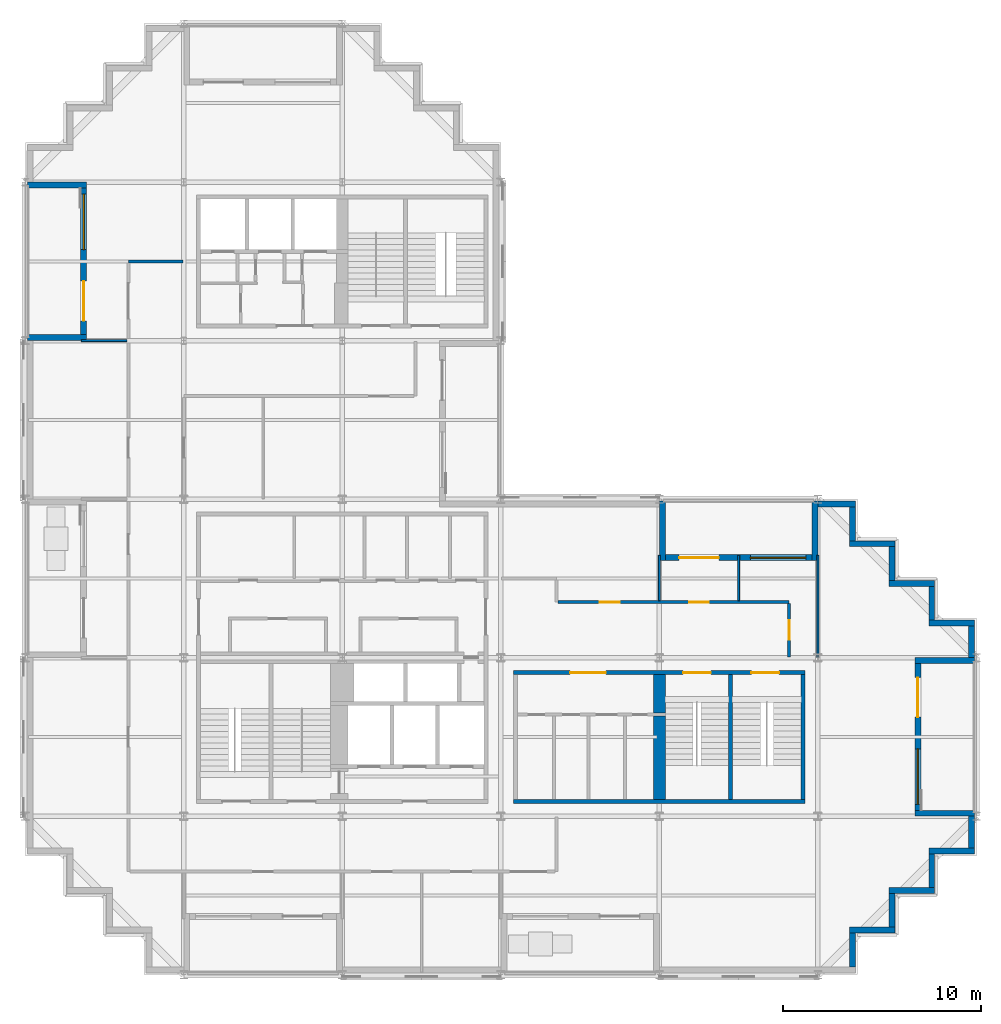
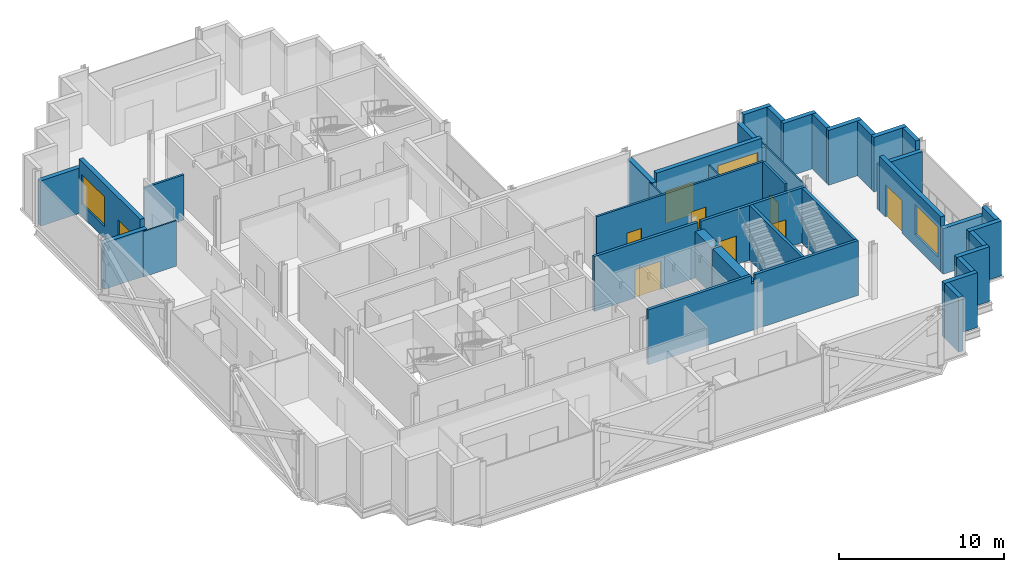
# One storey, part 7 of 11: 37 walls, 9 doors, 3 windows, 12 openings.
"""IFC4 building model written with IfcOpenShell, lengths in metres."""

from ifc_helpers import new_model, si_unit, direction, frame, frame_2d, origin, place, context, subcontext, project, spatial, polyline, rectangle, outline, extrude, material, layer, layer_set, type_object, element, fill, save


model = new_model("IFC4")

# Units and contexts
model_context = context("Model", 3, precision=1e-05, world=origin(), true_north=direction((0.0, 1.0)))
body_context = subcontext(model_context, "Body", "Model", "MODEL_VIEW")
ifc_project = project(units=[si_unit("LENGTHUNIT", "METRE"), si_unit("AREAUNIT", "SQUARE_METRE"), si_unit("VOLUMEUNIT", "CUBIC_METRE"), si_unit("PLANEANGLEUNIT", "RADIAN"), si_unit("MASSUNIT", "GRAM", prefix="KILO")], contexts=[model_context])

# Site, building, storey
site_placement = place(None, origin())
site = spatial("IfcSite", under=ifc_project, at=site_placement, CompositionType="ELEMENT")
building_placement = place(site_placement, origin())
building = spatial("IfcBuilding", under=site, at=building_placement, Name="Immortelle Media Tower", CompositionType="ELEMENT")
storey_placement = place(building_placement, frame((0.0, 0.0, 157.800048828125)))
storey = spatial("IfcBuildingStorey", under=building, at=storey_placement, Name="L32", CompositionType="ELEMENT", Elevation=157.800048828125)

# Wall, opening, door
ifc_material_1 = material(Name="Fire-rated gypsum board", Category="gypsum")
ifc_layer_1 = layer(ifc_material_1, 0.012451171875)
ifc_material_2 = material(Name="Steel ASTM A653 SS Gr 50 stud frame with mineral wool", Category="steel")
ifc_layer_2 = layer(ifc_material_2, 0.125)
ifc_layer_3 = layer(ifc_material_1, 0.012451171875)
ifc_layer_set_1 = layer_set([ifc_layer_1, ifc_layer_2, ifc_layer_3], Name="Steel ASTM A653 SS Gr 50 stud frame with mineral wool")
wall_type_1 = type_object("IfcWallType", Name="Corridor wall 150", PredefinedType="PARTITIONING", material=ifc_layer_set_1)
wall_1_placement = place(storey_placement, frame((38.550048828125, 16.030029296875, 0.0), z_axis=(0.0, 0.0, 1.0), x_axis=(0.0, 1.0, 0.0)))
wall_1 = element("IfcWall", 1, at=wall_1_placement, inside=storey, type_object=wall_type_1, Name="Partition L32-009", PredefinedType="PARTITIONING", context=body_context, shape_type="SweptSolid", body=[
    extrude(rectangle(XDim=2.695068359375, YDim=0.14990234375, at=frame_2d((1.34765625, 0.0))), origin(), (0.0, 0.0, 1.0), 4.050048828125),
])
opening_1_placement = place(wall_1_placement, frame((1.8701171875, 0.0, 0.0), z_axis=(0.0, 0.0, 1.0), x_axis=(-1.0, 0.0, 0.0)))
opening_1 = element("IfcOpeningElement", 2, at=opening_1_placement, cuts=wall_1, Name="Opening C4-F007", PredefinedType="OPENING", context=body_context, shape_type="SweptSolid", body=[
    extrude(rectangle(XDim=1.0, YDim=2.10009765625, at=frame_2d((0.5, 1.050048828125))), frame((0.0, 0.0849609375, 0.0), z_axis=(0.0, -1.0, 0.0), x_axis=(1.0, 0.0, 0.0)), (0.0, 0.0, 1.0), 0.169921875),
])
ifc_material_3 = material(Name="Timber veneered door leaf, galvanised steel frame ASTM A653", Category="steel")
door_type_1 = type_object("IfcDoorType", Name="Room door 1000 x 2100", OperationType="NOTDEFINED", PredefinedType="DOOR", material=ifc_material_3)
door_1_placement = place(opening_1_placement, origin())
door_1 = element("IfcDoor", 3, at=door_1_placement, inside=storey, type_object=door_type_1, Name="Door C4-F007", OperationType="SINGLE_SWING_RIGHT", OverallHeight=2.10009765625, OverallWidth=1.0, PredefinedType="DOOR", context=body_context, shape_type="SweptSolid", body=[
    extrude(rectangle(XDim=1.0, YDim=2.10009765625, at=frame_2d((0.5, 1.050048828125))), frame((0.0, 0.02490234375, 0.0), z_axis=(0.0, -1.0, 0.0), x_axis=(1.0, 0.0, 0.0)), (0.0, 0.0, 1.0), 0.050048828125),
])
fill(opening_1, door_1)

# Wall, openings, doors
wall_2_placement = place(storey_placement, frame((26.875, 18.800048828125, 0.0), z_axis=(0.0, 0.0, 1.0), x_axis=(1.0, 0.0, 0.0)))
wall_2 = element("IfcWall", 4, at=wall_2_placement, inside=storey, type_object=wall_type_1, Name="Partition L32-011", PredefinedType="PARTITIONING", context=body_context, shape_type="SweptSolid", body=[
    extrude(rectangle(XDim=11.675048828125, YDim=0.14990234375, at=frame_2d((5.83740234375, 0.0))), origin(), (0.0, 0.0, 1.0), 4.050048828125),
])
opening_2_placement = place(wall_2_placement, frame((6.625, 0.0, 0.0)))
opening_2 = element("IfcOpeningElement", 5, at=opening_2_placement, cuts=wall_2, Name="Opening C4-F006", PredefinedType="OPENING", context=body_context, shape_type="SweptSolid", body=[
    extrude(rectangle(XDim=1.0, YDim=2.10009765625, at=frame_2d((0.5, 1.050048828125))), frame((0.0, 0.0849609375, 0.0), z_axis=(0.0, -1.0, 0.0), x_axis=(1.0, 0.0, 0.0)), (0.0, 0.0, 1.0), 0.169921875),
])
opening_3_placement = place(wall_2_placement, frame((2.125, 0.0, 0.0)))
opening_3 = element("IfcOpeningElement", 6, at=opening_3_placement, cuts=wall_2, Name="Opening C4-F009", PredefinedType="OPENING", context=body_context, shape_type="SweptSolid", body=[
    extrude(rectangle(XDim=1.0, YDim=2.10009765625, at=frame_2d((0.5, 1.050048828125))), frame((0.0, 0.0849609375, 0.0), z_axis=(0.0, -1.0, 0.0), x_axis=(1.0, 0.0, 0.0)), (0.0, 0.0, 1.0), 0.169921875),
])
door_2_placement = place(opening_2_placement, origin())
door_2 = element("IfcDoor", 7, at=door_2_placement, inside=storey, type_object=door_type_1, Name="Door C4-F006", OperationType="SINGLE_SWING_RIGHT", OverallHeight=2.10009765625, OverallWidth=1.0, PredefinedType="DOOR", context=body_context, shape_type="SweptSolid", body=[
    extrude(rectangle(XDim=1.0, YDim=2.10009765625, at=frame_2d((0.5, 1.050048828125))), frame((0.0, 0.02490234375, 0.0), z_axis=(0.0, -1.0, 0.0), x_axis=(1.0, 0.0, 0.0)), (0.0, 0.0, 1.0), 0.050048828125),
])
fill(opening_2, door_2)
door_3_placement = place(opening_3_placement, origin())
door_3 = element("IfcDoor", 8, at=door_3_placement, inside=storey, type_object=door_type_1, Name="Door C4-F009", OperationType="SINGLE_SWING_RIGHT", OverallHeight=2.10009765625, OverallWidth=1.0, PredefinedType="DOOR", context=body_context, shape_type="SweptSolid", body=[
    extrude(rectangle(XDim=1.0, YDim=2.10009765625, at=frame_2d((0.5, 1.050048828125))), frame((0.0, 0.02490234375, 0.0), z_axis=(0.0, -1.0, 0.0), x_axis=(1.0, 0.0, 0.0)), (0.0, 0.0, 1.0), 0.050048828125),
])
fill(opening_3, door_3)

# Walls
wall_3_placement = place(storey_placement, frame((5.199951171875, 36.0, 0.0), z_axis=(0.0, 0.0, 1.0), x_axis=(1.0, 0.0, 0.0)))
element("IfcWall", 9, at=wall_3_placement, inside=storey, type_object=wall_type_1, Name="Partition L32-022", PredefinedType="PARTITIONING", context=body_context, shape_type="SweptSolid", body=[
    extrude(rectangle(XDim=2.77001953125, YDim=0.14990234375, at=frame_2d((1.385009765625, 0.0))), origin(), (0.0, 0.0, 1.0), 3.35400390625),
])
ifc_material_4 = material(Name="Pale aluminium cladding panel", Category="aluminium")
ifc_layer_4 = layer(ifc_material_4, 0.030029296875)
ifc_layer_5 = layer(ifc_material_2, 0.257568359375)
ifc_material_5 = material(Name="Moisture-resistant gypsum board", Category="gypsum")
ifc_layer_6 = layer(ifc_material_5, 0.012451171875)
ifc_layer_set_2 = layer_set([ifc_layer_4, ifc_layer_5, ifc_layer_6], Name="Steel ASTM A653 SS Gr 50 stud frame with mineral wool")
wall_type_2 = type_object("IfcWallType", Name="Facade wall 300", PredefinedType="SOLIDWALL", material=ifc_layer_set_2)
wall_4_placement = place(storey_placement, frame((41.75, 0.39990234375, 0.0), z_axis=(0.0, 0.0, 1.0), x_axis=(0.0, 1.0, 0.0)))
element("IfcWall", 10, at=wall_4_placement, inside=storey, type_object=wall_type_2, Name="Facade wall L32 E7", PredefinedType="SOLIDWALL", context=body_context, shape_type="SweptSolid", body=[
    extrude(rectangle(XDim=1.7001953125, YDim=0.300048828125, at=frame_2d((0.85009765625, 0.0))), origin(), (0.0, 0.0, 1.0), 4.050048828125),
])
wall_5_placement = place(storey_placement, frame((41.60009765625, 2.25, 0.0), z_axis=(0.0, 0.0, 1.0), x_axis=(1.0, 0.0, 0.0)))
element("IfcWall", 11, at=wall_5_placement, inside=storey, type_object=wall_type_2, Name="Facade wall L32 S8", PredefinedType="SOLIDWALL", context=body_context, shape_type="SweptSolid", body=[
    extrude(rectangle(XDim=2.2998046875, YDim=0.300048828125, at=frame_2d((1.14990234375, 0.0))), origin(), (0.0, 0.0, 1.0), 4.050048828125),
])
wall_6_placement = place(storey_placement, frame((43.75, 2.39990234375, 0.0), z_axis=(0.0, 0.0, 1.0), x_axis=(0.0, 1.0, 0.0)))
element("IfcWall", 12, at=wall_6_placement, inside=storey, type_object=wall_type_2, Name="Facade wall L32 E9", PredefinedType="SOLIDWALL", context=body_context, shape_type="SweptSolid", body=[
    extrude(rectangle(XDim=1.7001953125, YDim=0.300048828125, at=frame_2d((0.85009765625, 0.0))), origin(), (0.0, 0.0, 1.0), 4.050048828125),
])
wall_7_placement = place(storey_placement, frame((43.60009765625, 4.25, 0.0), z_axis=(0.0, 0.0, 1.0), x_axis=(1.0, 0.0, 0.0)))
element("IfcWall", 13, at=wall_7_placement, inside=storey, type_object=wall_type_2, Name="Facade wall L32 S10", PredefinedType="SOLIDWALL", context=body_context, shape_type="SweptSolid", body=[
    extrude(rectangle(XDim=2.2998046875, YDim=0.300048828125, at=frame_2d((1.14990234375, 0.0))), origin(), (0.0, 0.0, 1.0), 4.050048828125),
])
wall_8_placement = place(storey_placement, frame((45.75, 4.39990234375, 0.0), z_axis=(0.0, 0.0, 1.0), x_axis=(0.0, 1.0, 0.0)))
element("IfcWall", 14, at=wall_8_placement, inside=storey, type_object=wall_type_2, Name="Facade wall L32 E11", PredefinedType="SOLIDWALL", context=body_context, shape_type="SweptSolid", body=[
    extrude(rectangle(XDim=1.7001953125, YDim=0.300048828125, at=frame_2d((0.85009765625, 0.0))), origin(), (0.0, 0.0, 1.0), 4.050048828125),
])
wall_9_placement = place(storey_placement, frame((45.60009765625, 6.25, 0.0), z_axis=(0.0, 0.0, 1.0), x_axis=(1.0, 0.0, 0.0)))
element("IfcWall", 15, at=wall_9_placement, inside=storey, type_object=wall_type_2, Name="Facade wall L32 S12", PredefinedType="SOLIDWALL", context=body_context, shape_type="SweptSolid", body=[
    extrude(rectangle(XDim=2.2998046875, YDim=0.300048828125, at=frame_2d((1.14990234375, 0.0))), origin(), (0.0, 0.0, 1.0), 4.050048828125),
])
wall_10_placement = place(storey_placement, frame((47.75, 6.39990234375, 0.0), z_axis=(0.0, 0.0, 1.0), x_axis=(0.0, 1.0, 0.0)))
element("IfcWall", 16, at=wall_10_placement, inside=storey, type_object=wall_type_2, Name="Facade wall L32 E13", PredefinedType="SOLIDWALL", context=body_context, shape_type="SweptSolid", body=[
    extrude(rectangle(XDim=1.60009765625, YDim=0.300048828125, at=frame_2d((0.800048828125, 0.0))), origin(), (0.0, 0.0, 1.0), 4.050048828125),
])

# Wall, openings, door, window
wall_11_placement = place(storey_placement, frame((45.050048828125, 8.300048828125, 0.0), z_axis=(0.0, 0.0, 1.0), x_axis=(0.0, 1.0, 0.0)))
wall_11 = element("IfcWall", 17, at=wall_11_placement, inside=storey, type_object=wall_type_2, Name="Loggia wall L32 E13", PredefinedType="SOLIDWALL", context=body_context, shape_type="SweptSolid", body=[
    extrude(rectangle(XDim=7.39990234375, YDim=0.300048828125, at=frame_2d((3.699951171875, 0.0))), origin(), (0.0, 0.0, 1.0), 4.050048828125),
])
opening_4_placement = place(wall_11_placement, frame((0.300048828125, 0.0, 0.89990234375)))
opening_4 = element("IfcOpeningElement", 18, at=opening_4_placement, cuts=wall_11, Name="Opening W1", PredefinedType="OPENING", context=body_context, shape_type="SweptSolid", body=[
    extrude(rectangle(XDim=2.800048828125, YDim=2.199951171875, at=frame_2d((1.39990234375, 1.10009765625))), frame((0.0, 0.159912109375, 0.0), z_axis=(0.0, -1.0, 0.0), x_axis=(1.0, 0.0, 0.0)), (0.0, 0.0, 1.0), 0.320068359375),
])
opening_5_placement = place(wall_11_placement, frame((4.699951171875, 0.0, 0.0)))
opening_5 = element("IfcOpeningElement", 19, at=opening_5_placement, cuts=wall_11, Name="Opening C4-E003", PredefinedType="OPENING", context=body_context, shape_type="SweptSolid", body=[
    extrude(rectangle(XDim=2.0, YDim=2.39990234375, at=frame_2d((1.0, 1.199951171875))), frame((0.0, 0.159912109375, 0.0), z_axis=(0.0, -1.0, 0.0), x_axis=(1.0, 0.0, 0.0)), (0.0, 0.0, 1.0), 0.320068359375),
])
ifc_material_6 = material(Name="Aluminium frame, glazed leaves", Category="aluminium")
door_type_2 = type_object("IfcDoorType", Name="Loggia door 2000 x 2400", OperationType="DOUBLE_DOOR_SINGLE_SWING", PredefinedType="DOOR", material=ifc_material_6)
door_4_placement = place(opening_5_placement, origin())
door_4 = element("IfcDoor", 20, at=door_4_placement, inside=storey, type_object=door_type_2, Name="Door C4-E003", OperationType="DOUBLE_DOOR_SINGLE_SWING", OverallHeight=2.39990234375, OverallWidth=2.0, PredefinedType="DOOR", context=body_context, shape_type="SweptSolid", body=[
    extrude(rectangle(XDim=2.0, YDim=2.39990234375, at=frame_2d((1.0, 1.199951171875))), frame((0.0, 0.02490234375, 0.0), z_axis=(0.0, -1.0, 0.0), x_axis=(1.0, 0.0, 0.0)), (0.0, 0.0, 1.0), 0.050048828125),
])
fill(opening_5, door_4)
ifc_material_7 = material(Name="Aluminium frame", Category="aluminium")
window_type = type_object("IfcWindowType", Name="Window 2800 x 2200", PartitioningType="SINGLE_PANEL", PredefinedType="WINDOW", material=ifc_material_7)
window_1_placement = place(opening_4_placement, origin())
window_1 = element("IfcWindow", 21, at=window_1_placement, inside=storey, type_object=window_type, Name="Window L32 L32-R13-B0", OverallHeight=2.199951171875, OverallWidth=2.800048828125, PartitioningType="SINGLE_PANEL", PredefinedType="WINDOW", context=body_context, shape_type="SweptSolid", body=[
    extrude(rectangle(XDim=2.800048828125, YDim=2.199951171875, at=frame_2d((1.39990234375, 1.10009765625))), frame((0.0, 0.030029296875, 0.0), z_axis=(0.0, -1.0, 0.0), x_axis=(1.0, 0.0, 0.0)), (0.0, 0.0, 1.0), 0.06005859375),
])
fill(opening_4, window_1)

# Walls
for number, where, z_axis, x_axis, name in (
    (22, (47.89990234375, 8.14990234375, 0.0), (0.0, 0.0, 1.0), (-1.0, 0.0, 0.0), "Loggia cheek wall L32 E"),
    (23, (47.89990234375, 15.85009765625, 0.0), (0.0, 0.0, 1.0), (-1.0, 0.0, 0.0), "Loggia cheek wall L32 E"),
):
    element("IfcWall", number, at=place(storey_placement, frame(where, z_axis=z_axis, x_axis=x_axis)), inside=storey, type_object=wall_type_2, Name=name, PredefinedType="SOLIDWALL", context=body_context, shape_type="SweptSolid", body=[
        extrude(rectangle(XDim=3.0, YDim=0.300048828125, at=frame_2d((1.5, 0.0))), origin(), (0.0, 0.0, 1.0), 3.35302734375),
    ])
wall_12_placement = place(storey_placement, frame((47.75, 16.0, 0.0), z_axis=(0.0, 0.0, 1.0), x_axis=(0.0, 1.0, 0.0)))
element("IfcWall", 24, at=wall_12_placement, inside=storey, type_object=wall_type_2, Name="Facade wall L32 E13", PredefinedType="SOLIDWALL", context=body_context, shape_type="SweptSolid", body=[
    extrude(rectangle(XDim=1.60009765625, YDim=0.300048828125, at=frame_2d((0.800048828125, 0.0))), origin(), (0.0, 0.0, 1.0), 4.050048828125),
])
wall_13_placement = place(storey_placement, frame((47.89990234375, 17.75, 0.0), z_axis=(0.0, 0.0, 1.0), x_axis=(-1.0, 0.0, 0.0)))
element("IfcWall", 25, at=wall_13_placement, inside=storey, type_object=wall_type_2, Name="Facade wall L32 N14", PredefinedType="SOLIDWALL", context=body_context, shape_type="SweptSolid", body=[
    extrude(rectangle(XDim=2.2998046875, YDim=0.300048828125, at=frame_2d((1.14990234375, 0.0))), origin(), (0.0, 0.0, 1.0), 4.050048828125),
])
wall_14_placement = place(storey_placement, frame((45.75, 17.89990234375, 0.0), z_axis=(0.0, 0.0, 1.0), x_axis=(0.0, 1.0, 0.0)))
element("IfcWall", 26, at=wall_14_placement, inside=storey, type_object=wall_type_2, Name="Facade wall L32 E15", PredefinedType="SOLIDWALL", context=body_context, shape_type="SweptSolid", body=[
    extrude(rectangle(XDim=1.7001953125, YDim=0.300048828125, at=frame_2d((0.85009765625, 0.0))), origin(), (0.0, 0.0, 1.0), 4.050048828125),
])
wall_15_placement = place(storey_placement, frame((45.89990234375, 19.75, 0.0), z_axis=(0.0, 0.0, 1.0), x_axis=(-1.0, 0.0, 0.0)))
element("IfcWall", 27, at=wall_15_placement, inside=storey, type_object=wall_type_2, Name="Facade wall L32 N16", PredefinedType="SOLIDWALL", context=body_context, shape_type="SweptSolid", body=[
    extrude(rectangle(XDim=2.2998046875, YDim=0.300048828125, at=frame_2d((1.14990234375, 0.0))), origin(), (0.0, 0.0, 1.0), 4.050048828125),
])
wall_16_placement = place(storey_placement, frame((43.75, 19.89990234375, 0.0), z_axis=(0.0, 0.0, 1.0), x_axis=(0.0, 1.0, 0.0)))
element("IfcWall", 28, at=wall_16_placement, inside=storey, type_object=wall_type_2, Name="Facade wall L32 E17", PredefinedType="SOLIDWALL", context=body_context, shape_type="SweptSolid", body=[
    extrude(rectangle(XDim=1.7001953125, YDim=0.300048828125, at=frame_2d((0.85009765625, 0.0))), origin(), (0.0, 0.0, 1.0), 4.050048828125),
])
wall_17_placement = place(storey_placement, frame((43.89990234375, 21.75, 0.0), z_axis=(0.0, 0.0, 1.0), x_axis=(-1.0, 0.0, 0.0)))
element("IfcWall", 29, at=wall_17_placement, inside=storey, type_object=wall_type_2, Name="Facade wall L32 N18", PredefinedType="SOLIDWALL", context=body_context, shape_type="SweptSolid", body=[
    extrude(rectangle(XDim=2.2998046875, YDim=0.300048828125, at=frame_2d((1.14990234375, 0.0))), origin(), (0.0, 0.0, 1.0), 4.050048828125),
])
wall_18_placement = place(storey_placement, frame((41.75, 21.89990234375, 0.0), z_axis=(0.0, 0.0, 1.0), x_axis=(0.0, 1.0, 0.0)))
element("IfcWall", 30, at=wall_18_placement, inside=storey, type_object=wall_type_2, Name="Facade wall L32 E19", PredefinedType="SOLIDWALL", context=body_context, shape_type="SweptSolid", body=[
    extrude(rectangle(XDim=1.7001953125, YDim=0.300048828125, at=frame_2d((0.85009765625, 0.0))), origin(), (0.0, 0.0, 1.0), 4.050048828125),
])
wall_19_placement = place(storey_placement, frame((41.89990234375, 23.75, 0.0), z_axis=(0.0, 0.0, 1.0), x_axis=(-1.0, 0.0, 0.0)))
element("IfcWall", 31, at=wall_19_placement, inside=storey, type_object=wall_type_2, Name="Facade wall L32 N20", PredefinedType="SOLIDWALL", context=body_context, shape_type="SweptSolid", body=[
    extrude(rectangle(XDim=1.89990234375, YDim=0.300048828125, at=frame_2d((0.949951171875, 0.0))), origin(), (0.0, 0.0, 1.0), 4.050048828125),
])

# Wall, openings, door, window
wall_20_placement = place(storey_placement, frame((39.699951171875, 21.050048828125, 0.0), z_axis=(0.0, 0.0, 1.0), x_axis=(-1.0, 0.0, 0.0)))
wall_20 = element("IfcWall", 32, at=wall_20_placement, inside=storey, type_object=wall_type_2, Name="Loggia wall L32 N20", PredefinedType="SOLIDWALL", context=body_context, shape_type="SweptSolid", body=[
    extrude(rectangle(XDim=7.39990234375, YDim=0.300048828125, at=frame_2d((3.699951171875, 0.0))), origin(), (0.0, 0.0, 1.0), 4.050048828125),
])
opening_6_placement = place(wall_20_placement, frame((0.300048828125, 0.0, 0.89990234375)))
opening_6 = element("IfcOpeningElement", 33, at=opening_6_placement, cuts=wall_20, Name="Opening W1", PredefinedType="OPENING", context=body_context, shape_type="SweptSolid", body=[
    extrude(rectangle(XDim=2.800048828125, YDim=2.199951171875, at=frame_2d((1.39990234375, 1.10009765625))), frame((0.0, 0.159912109375, 0.0), z_axis=(0.0, -1.0, 0.0), x_axis=(1.0, 0.0, 0.0)), (0.0, 0.0, 1.0), 0.320068359375),
])
opening_7_placement = place(wall_20_placement, frame((4.699951171875, 0.0, 0.0)))
opening_7 = element("IfcOpeningElement", 34, at=opening_7_placement, cuts=wall_20, Name="Opening C4-E004", PredefinedType="OPENING", context=body_context, shape_type="SweptSolid", body=[
    extrude(rectangle(XDim=2.0, YDim=2.39990234375, at=frame_2d((1.0, 1.199951171875))), frame((0.0, 0.159912109375, 0.0), z_axis=(0.0, -1.0, 0.0), x_axis=(1.0, 0.0, 0.0)), (0.0, 0.0, 1.0), 0.320068359375),
])
door_5_placement = place(opening_7_placement, origin())
door_5 = element("IfcDoor", 35, at=door_5_placement, inside=storey, type_object=door_type_2, Name="Door C4-E004", OperationType="DOUBLE_DOOR_SINGLE_SWING", OverallHeight=2.39990234375, OverallWidth=2.0, PredefinedType="DOOR", context=body_context, shape_type="SweptSolid", body=[
    extrude(rectangle(XDim=2.0, YDim=2.39990234375, at=frame_2d((1.0, 1.199951171875))), frame((0.0, 0.02490234375, 0.0), z_axis=(0.0, -1.0, 0.0), x_axis=(1.0, 0.0, 0.0)), (0.0, 0.0, 1.0), 0.050048828125),
])
fill(opening_7, door_5)
window_2_placement = place(opening_6_placement, origin())
window_2 = element("IfcWindow", 36, at=window_2_placement, inside=storey, type_object=window_type, Name="Window L32 L32-R20-B0", OverallHeight=2.199951171875, OverallWidth=2.800048828125, PartitioningType="SINGLE_PANEL", PredefinedType="WINDOW", context=body_context, shape_type="SweptSolid", body=[
    extrude(rectangle(XDim=2.800048828125, YDim=2.199951171875, at=frame_2d((1.39990234375, 1.10009765625))), frame((0.0, 0.030029296875, 0.0), z_axis=(0.0, -1.0, 0.0), x_axis=(1.0, 0.0, 0.0)), (0.0, 0.0, 1.0), 0.06005859375),
])
fill(opening_6, window_2)

# Walls
wall_21_placement = place(storey_placement, frame((39.85009765625, 23.89990234375, 0.0), z_axis=(0.0, 0.0, 1.0), x_axis=(0.0, -1.0, 0.0)))
element("IfcWall", 37, at=wall_21_placement, inside=storey, type_object=wall_type_2, Name="Loggia cheek wall L32 N", PredefinedType="SOLIDWALL", context=body_context, shape_type="SweptSolid", body=[
    extrude(rectangle(XDim=3.0, YDim=0.300048828125, at=frame_2d((1.5, 0.0))), origin(), (0.0, 0.0, 1.0), 3.35302734375),
])
wall_22_placement = place(storey_placement, frame((32.14990234375, 23.89990234375, 0.0), z_axis=(0.0, 0.0, 1.0), x_axis=(0.0, -1.0, 0.0)))
element("IfcWall", 38, at=wall_22_placement, inside=storey, type_object=wall_type_2, Name="Loggia cheek wall L32 N", PredefinedType="SOLIDWALL", context=body_context, shape_type="SweptSolid", body=[
    extrude(rectangle(XDim=3.0, YDim=0.300048828125, at=frame_2d((1.5, 0.0))), origin(), (0.0, 0.0, 1.0), 3.43701171875),
])

# Wall, openings, door, window
wall_23_placement = place(storey_placement, frame((2.949951171875, 39.699951171875, 0.0), z_axis=(0.0, 0.0, 1.0), x_axis=(0.0, -1.0, 0.0)))
wall_23 = element("IfcWall", 39, at=wall_23_placement, inside=storey, type_object=wall_type_2, Name="Loggia wall L32 W35", PredefinedType="SOLIDWALL", context=body_context, shape_type="SweptSolid", body=[
    extrude(rectangle(XDim=7.39990234375, YDim=0.300048828125, at=frame_2d((3.699951171875, 0.0))), origin(), (0.0, 0.0, 1.0), 4.050048828125),
])
opening_8_placement = place(wall_23_placement, frame((0.300048828125, 0.0, 0.89990234375)))
opening_8 = element("IfcOpeningElement", 40, at=opening_8_placement, cuts=wall_23, Name="Opening W1", PredefinedType="OPENING", context=body_context, shape_type="SweptSolid", body=[
    extrude(rectangle(XDim=2.800048828125, YDim=2.199951171875, at=frame_2d((1.39990234375, 1.10009765625))), frame((0.0, 0.159912109375, 0.0), z_axis=(0.0, -1.0, 0.0), x_axis=(1.0, 0.0, 0.0)), (0.0, 0.0, 1.0), 0.320068359375),
])
opening_9_placement = place(wall_23_placement, frame((4.699951171875, 0.0, 0.0)))
opening_9 = element("IfcOpeningElement", 41, at=opening_9_placement, cuts=wall_23, Name="Opening C4-E007", PredefinedType="OPENING", context=body_context, shape_type="SweptSolid", body=[
    extrude(rectangle(XDim=2.0, YDim=2.39990234375, at=frame_2d((1.0, 1.199951171875))), frame((0.0, 0.159912109375, 0.0), z_axis=(0.0, -1.0, 0.0), x_axis=(1.0, 0.0, 0.0)), (0.0, 0.0, 1.0), 0.320068359375),
])
door_6_placement = place(opening_9_placement, origin())
door_6 = element("IfcDoor", 42, at=door_6_placement, inside=storey, type_object=door_type_2, Name="Door C4-E007", OperationType="DOUBLE_DOOR_SINGLE_SWING", OverallHeight=2.39990234375, OverallWidth=2.0, PredefinedType="DOOR", context=body_context, shape_type="SweptSolid", body=[
    extrude(rectangle(XDim=2.0, YDim=2.39990234375, at=frame_2d((1.0, 1.199951171875))), frame((0.0, 0.02490234375, 0.0), z_axis=(0.0, -1.0, 0.0), x_axis=(1.0, 0.0, 0.0)), (0.0, 0.0, 1.0), 0.050048828125),
])
fill(opening_9, door_6)
window_3_placement = place(opening_8_placement, origin())
window_3 = element("IfcWindow", 43, at=window_3_placement, inside=storey, type_object=window_type, Name="Window L32 L32-R35-B0", OverallHeight=2.199951171875, OverallWidth=2.800048828125, PartitioningType="SINGLE_PANEL", PredefinedType="WINDOW", context=body_context, shape_type="SweptSolid", body=[
    extrude(rectangle(XDim=2.800048828125, YDim=2.199951171875, at=frame_2d((1.39990234375, 1.10009765625))), frame((0.0, 0.030029296875, 0.0), z_axis=(0.0, -1.0, 0.0), x_axis=(1.0, 0.0, 0.0)), (0.0, 0.0, 1.0), 0.06005859375),
])
fill(opening_8, window_3)

# Walls
wall_24_placement = place(storey_placement, frame((0.10009765625, 39.85009765625, 0.0), z_axis=(0.0, 0.0, 1.0), x_axis=(1.0, 0.0, 0.0)))
element("IfcWall", 44, at=wall_24_placement, inside=storey, type_object=wall_type_2, Name="Loggia cheek wall L32 W", PredefinedType="SOLIDWALL", context=body_context, shape_type="SweptSolid", body=[
    extrude(rectangle(XDim=3.0, YDim=0.300048828125, at=frame_2d((1.5, 0.0))), origin(), (0.0, 0.0, 1.0), 3.35302734375),
])
wall_25_placement = place(storey_placement, frame((0.10009765625, 32.14990234375, 0.0), z_axis=(0.0, 0.0, 1.0), x_axis=(1.0, 0.0, 0.0)))
element("IfcWall", 45, at=wall_25_placement, inside=storey, type_object=wall_type_2, Name="Loggia cheek wall L32 W", PredefinedType="SOLIDWALL", context=body_context, shape_type="SweptSolid", body=[
    extrude(rectangle(XDim=3.0, YDim=0.300048828125, at=frame_2d((1.5, 0.0))), origin(), (0.0, 0.0, 1.0), 3.43701171875),
])
ifc_material_8 = material(Name="Gypsum board", Category="gypsum")
ifc_layer_7 = layer(ifc_material_8, 0.012451171875)
ifc_layer_8 = layer(ifc_material_2, 0.074951171875)
ifc_layer_9 = layer(ifc_material_8, 0.012451171875)
ifc_layer_set_3 = layer_set([ifc_layer_7, ifc_layer_8, ifc_layer_9], Name="Steel ASTM A653 SS Gr 50 stud frame with mineral wool")
wall_type_3 = type_object("IfcWallType", Name="Partition 100", PredefinedType="PARTITIONING", material=ifc_layer_set_3)
wall_26_placement = place(storey_placement, frame((40.0, 16.030029296875, 0.0), z_axis=(0.0, 0.0, 1.0), x_axis=(0.0, 1.0, 0.0)))
element("IfcWall", 46, at=wall_26_placement, inside=storey, type_object=wall_type_3, Name="Partition L32-010", PredefinedType="PARTITIONING", context=body_context, shape_type="SweptSolid", body=[
    extrude(rectangle(XDim=5.139892578125, YDim=0.10009765625, at=frame_2d((2.56982421875, 0.0))), origin(), (0.0, 0.0, 1.0), 3.35400390625),
])
for number, where, z_axis, x_axis, name in (
    (47, (32.0, 18.875, 0.0), (0.0, 0.0, 1.0), (0.0, 1.0, 0.0), "Partition L32-013"),
    (48, (36.0, 18.875, 0.0), (0.0, 0.0, 1.0), (0.0, 1.0, 0.0), "Partition L32-014"),
    (49, (2.830078125, 32.0, 0.0), (0.0, 0.0, 1.0), (1.0, 0.0, 0.0), "Partition L32-021"),
):
    element("IfcWall", number, at=place(storey_placement, frame(where, z_axis=z_axis, x_axis=x_axis)), inside=storey, type_object=wall_type_3, Name=name, PredefinedType="PARTITIONING", context=body_context, shape_type="SweptSolid", body=[
        extrude(rectangle(XDim=2.294921875, YDim=0.10009765625, at=frame_2d((1.1474609375, 0.0))), origin(), (0.0, 0.0, 1.0), 3.35400390625),
    ])
ifc_material_9 = material(Name="Concrete C60", Category="concrete")
ifc_layer_10 = layer(ifc_material_9, 0.199951171875)
ifc_layer_set_4 = layer_set([ifc_layer_10], Name="Concrete C60")
wall_type_4 = type_object("IfcWallType", Name="Stair shaft wall 200", PredefinedType="PARTITIONING", material=ifc_layer_set_4)
wall_27_placement = place(storey_placement, frame((24.64990234375, 8.75, 0.0), z_axis=(0.0, 0.0, 1.0), x_axis=(1.0, 0.0, 0.0)))
element("IfcWall", 50, at=wall_27_placement, inside=storey, type_object=wall_type_4, Name="Stair shaft wall SE", PredefinedType="PARTITIONING", context=body_context, shape_type="SweptSolid", body=[
    extrude(outline(polyline([(0.0, 0.0), (14.7001953125, 0.0), (14.699951171875, 4.050048828125), (7.468994140625, 4.050048828125), (7.468017578125, 3.44189453125), (7.23193359375, 3.44189453125), (7.23095703125, 4.050048828125), (0.0, 4.050048828125), (0.0, 0.0)])), frame((0.0, 0.10009765625, 0.0), z_axis=(0.0, -1.0, 0.0), x_axis=(1.0, 0.0, 0.0)), (0.0, 0.0, 1.0), 0.199951171875),
])

# Wall, openings, doors
wall_28_placement = place(storey_placement, frame((24.64990234375, 15.25, 0.0), z_axis=(0.0, 0.0, 1.0), x_axis=(1.0, 0.0, 0.0)))
wall_28 = element("IfcWall", 51, at=wall_28_placement, inside=storey, type_object=wall_type_4, Name="Stair shaft wall SE", PredefinedType="PARTITIONING", context=body_context, shape_type="SweptSolid", body=[
    extrude(outline(polyline([(0.0, 0.0), (14.7001953125, 0.0), (14.699951171875, 4.050048828125), (7.468994140625, 4.050048828125), (7.468017578125, 3.44189453125), (7.23193359375, 3.44189453125), (7.23095703125, 4.050048828125), (0.0, 4.050048828125), (0.0, 0.0)])), frame((0.0, 0.10009765625, 0.0), z_axis=(0.0, -1.0, 0.0), x_axis=(1.0, 0.0, 0.0)), (0.0, 0.0, 1.0), 0.199951171875),
])
opening_10_placement = place(wall_28_placement, frame((2.85009765625, 0.0, 0.0)))
opening_10 = element("IfcOpeningElement", 52, at=opening_10_placement, cuts=wall_28, Name="Opening C4-K020", PredefinedType="OPENING", context=body_context, shape_type="SweptSolid", body=[
    extrude(rectangle(XDim=1.800048828125, YDim=2.10009765625, at=frame_2d((0.89990234375, 1.050048828125))), frame((0.0, 0.10986328125, 0.0), z_axis=(0.0, -1.0, 0.0), x_axis=(1.0, 0.0, 0.0)), (0.0, 0.0, 1.0), 0.219970703125),
])
opening_11_placement = place(wall_28_placement, frame((9.949951171875, 0.0, 0.0), z_axis=(0.0, 0.0, 1.0), x_axis=(-1.0, 0.0, 0.0)))
opening_11 = element("IfcOpeningElement", 53, at=opening_11_placement, cuts=wall_28, Name="Opening C4-K023", PredefinedType="OPENING", context=body_context, shape_type="SweptSolid", body=[
    extrude(rectangle(XDim=1.39990234375, YDim=2.10009765625, at=frame_2d((0.699951171875, 1.050048828125))), frame((0.0, 0.10986328125, 0.0), z_axis=(0.0, -1.0, 0.0), x_axis=(1.0, 0.0, 0.0)), (0.0, 0.0, 1.0), 0.219970703125),
])
opening_12_placement = place(wall_28_placement, frame((13.39990234375, 0.0, 0.0), z_axis=(0.0, 0.0, 1.0), x_axis=(-1.0, 0.0, 0.0)))
opening_12 = element("IfcOpeningElement", 54, at=opening_12_placement, cuts=wall_28, Name="Opening C4-K024", PredefinedType="OPENING", context=body_context, shape_type="SweptSolid", body=[
    extrude(rectangle(XDim=1.39990234375, YDim=2.10009765625, at=frame_2d((0.699951171875, 1.050048828125))), frame((0.0, 0.10986328125, 0.0), z_axis=(0.0, -1.0, 0.0), x_axis=(1.0, 0.0, 0.0)), (0.0, 0.0, 1.0), 0.219970703125),
])
ifc_material_10 = material(Name="Galvanised steel door leaf and frame ASTM A653", Category="steel")
door_type_3 = type_object("IfcDoorType", Name="Lift lobby door 1800 x 2100", OperationType="DOUBLE_DOOR_SINGLE_SWING", PredefinedType="NOTDEFINED", material=ifc_material_10)
door_7_placement = place(opening_10_placement, origin())
door_7 = element("IfcDoor", 55, at=door_7_placement, inside=storey, type_object=door_type_3, Name="Lift lobby C4-K020", OperationType="DOUBLE_DOOR_SINGLE_SWING", OverallHeight=2.10009765625, OverallWidth=1.800048828125, PredefinedType="NOTDEFINED", context=body_context, shape_type="SweptSolid", body=[
    extrude(rectangle(XDim=1.800048828125, YDim=2.10009765625, at=frame_2d((0.89990234375, 1.050048828125))), frame((0.0, 0.02490234375, 0.0), z_axis=(0.0, -1.0, 0.0), x_axis=(1.0, 0.0, 0.0)), (0.0, 0.0, 1.0), 0.050048828125),
])
fill(opening_10, door_7)
door_type_4 = type_object("IfcDoorType", Name="Stair door 1400 x 2100", OperationType="DOUBLE_DOOR_SINGLE_SWING", PredefinedType="NOTDEFINED", material=ifc_material_10)
door_8_placement = place(opening_11_placement, origin())
door_8 = element("IfcDoor", 56, at=door_8_placement, inside=storey, type_object=door_type_4, Name="Stair C4-K023", OperationType="DOUBLE_DOOR_SINGLE_SWING", OverallHeight=2.10009765625, OverallWidth=1.39990234375, PredefinedType="NOTDEFINED", context=body_context, shape_type="SweptSolid", body=[
    extrude(rectangle(XDim=1.39990234375, YDim=2.10009765625, at=frame_2d((0.699951171875, 1.050048828125))), frame((0.0, 0.02490234375, 0.0), z_axis=(0.0, -1.0, 0.0), x_axis=(1.0, 0.0, 0.0)), (0.0, 0.0, 1.0), 0.050048828125),
])
fill(opening_11, door_8)
door_9_placement = place(opening_12_placement, origin())
door_9 = element("IfcDoor", 57, at=door_9_placement, inside=storey, type_object=door_type_4, Name="Stair C4-K024", OperationType="DOUBLE_DOOR_SINGLE_SWING", OverallHeight=2.10009765625, OverallWidth=1.39990234375, PredefinedType="NOTDEFINED", context=body_context, shape_type="SweptSolid", body=[
    extrude(rectangle(XDim=1.39990234375, YDim=2.10009765625, at=frame_2d((0.699951171875, 1.050048828125))), frame((0.0, 0.02490234375, 0.0), z_axis=(0.0, -1.0, 0.0), x_axis=(1.0, 0.0, 0.0)), (0.0, 0.0, 1.0), 0.050048828125),
])
fill(opening_12, door_9)

# Walls
for number, where, z_axis, x_axis, name in (
    (58, (35.60009765625, 8.85009765625, 0.0), (0.0, 0.0, 1.0), (0.0, 1.0, 0.0), "Stair shaft wall SE"),
    (59, (39.25, 8.85009765625, 0.0), (0.0, 0.0, 1.0), (0.0, 1.0, 0.0), "Stair shaft wall SE"),
):
    element("IfcWall", number, at=place(storey_placement, frame(where, z_axis=z_axis, x_axis=x_axis)), inside=storey, type_object=wall_type_4, Name=name, PredefinedType="PARTITIONING", context=body_context, shape_type="SweptSolid", body=[
        extrude(rectangle(XDim=6.2998046875, YDim=0.199951171875, at=frame_2d((3.14990234375, 0.0))), origin(), (0.0, 0.0, 1.0), 4.050048828125),
    ])
ifc_layer_11 = layer(ifc_material_9, 0.60009765625)
ifc_layer_set_5 = layer_set([ifc_layer_11], Name="Concrete C60")
wall_type_5 = type_object("IfcWallType", Name="Stair shaft wall 600", PredefinedType="PARTITIONING", material=ifc_layer_set_5)
wall_29_placement = place(storey_placement, frame((32.0, 8.85009765625, 0.0), z_axis=(0.0, 0.0, 1.0), x_axis=(0.0, 1.0, 0.0)))
element("IfcWall", 60, at=wall_29_placement, inside=storey, type_object=wall_type_5, Name="Stair shaft wall SE", PredefinedType="PARTITIONING", context=body_context, shape_type="SweptSolid", body=[
    extrude(rectangle(XDim=4.199951171875, YDim=0.60009765625, at=frame_2d((2.10009765625, 0.0))), origin(), (0.0, 0.0, 1.0), 3.44189453125),
])
wall_30_placement = place(storey_placement, frame((32.0, 13.199951171875, 0.0), z_axis=(0.0, 0.0, 1.0), x_axis=(0.0, 1.0, 0.0)))
element("IfcWall", 61, at=wall_30_placement, inside=storey, type_object=wall_type_5, Name="Stair shaft wall SE", PredefinedType="PARTITIONING", context=body_context, shape_type="SweptSolid", body=[
    extrude(rectangle(XDim=1.949951171875, YDim=0.60009765625, at=frame_2d((0.97509765625, 0.0))), origin(), (0.0, 0.0, 1.0), 3.44189453125),
])

save(model, "model.ifc")
